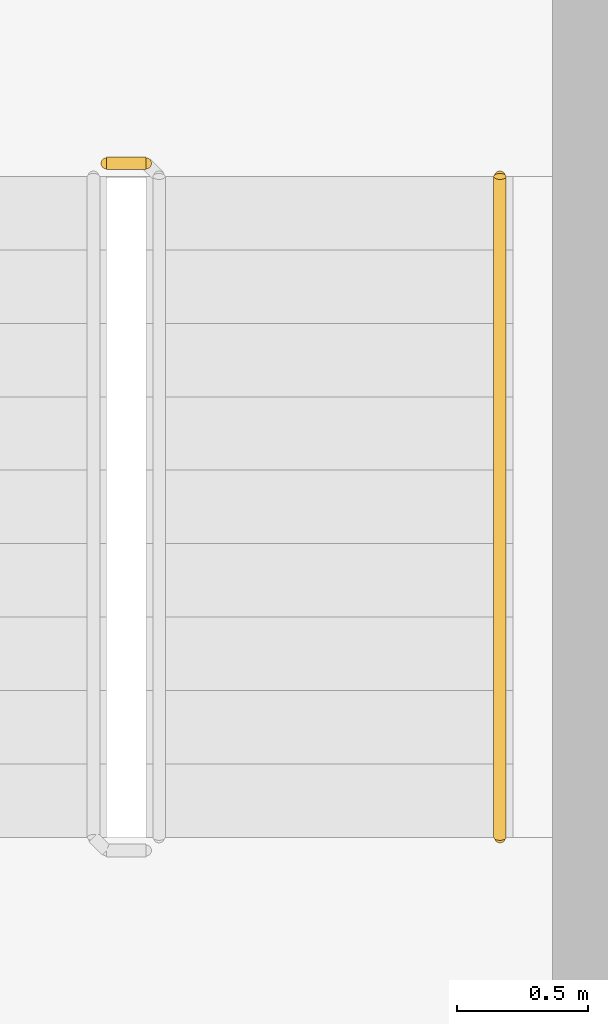
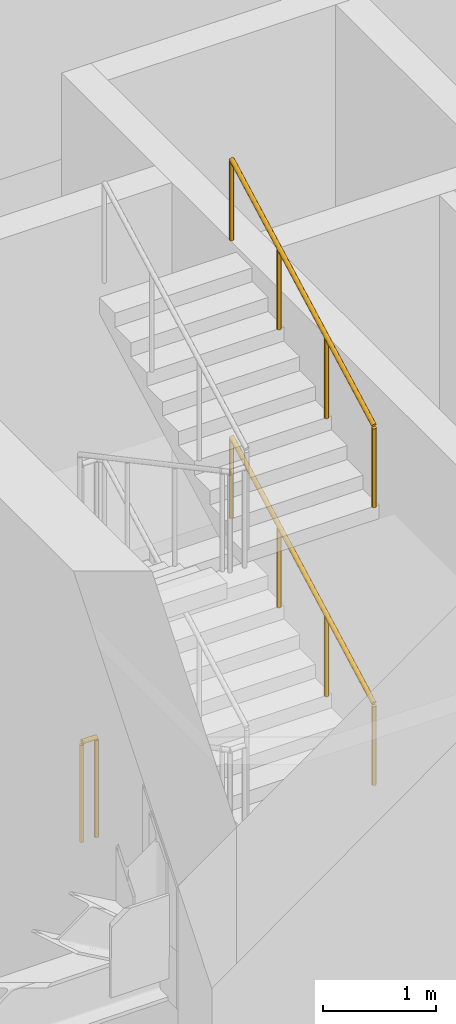
# One storey, part 24 of 29: 3 railings.
"""IFC4 building model written with IfcOpenShell, lengths in metres."""

import ifcopenshell
import ifcopenshell.guid

model = None  # the IFC model being written
_history = None  # IfcOwnerHistory: only IFC2X3 demands one
_inside = {}  # id of a spatial element -> (the spatial element, [elements in it])
_under = {}  # id of a project, library or spatial element -> (it, [spatial elements below it])
_declared = {}  # id of a project -> (the project, [libraries it declares])
_typed = {}  # id of a type object -> (the type object, [elements of that type])
_made_of = {}  # id of a material, layer set ... -> (it, [elements and type objects made of it])


def new_model(schema):
    """Start an empty IFC model of exactly this schema.

    Asked for "IFC4X3", IfcOpenShell would pick the latest addendum, in which some entities
    have other attributes; the version numbers below select the first issue.
    IFC2X3 requires an IfcOwnerHistory on every rooted entity: one is made here for all.
    """
    global model, _history
    if schema == "IFC4X3":
        model = ifcopenshell.file(schema_version=(4, 3, 0, 0))
    else:
        model = ifcopenshell.file(schema=schema)
    _inside.clear()
    _under.clear()
    _declared.clear()
    _typed.clear()
    _made_of.clear()
    _history = None
    if model.schema == "IFC2X3":
        org = make("IfcOrganization", Name="unknown")
        user = make(
            "IfcPersonAndOrganization",
            ThePerson=make("IfcPerson", FamilyName="unknown"),
            TheOrganization=org,
        )
        app = make(
            "IfcApplication",
            ApplicationDeveloper=org,
            Version="unknown",
            ApplicationFullName="unknown",
            ApplicationIdentifier="unknown",
        )
        _history = make(
            "IfcOwnerHistory",
            OwningUser=user,
            OwningApplication=app,
            ChangeAction="ADDED",
            CreationDate=0,
        )
    return model


def make(cls, **values):
    """One entity of the class cls with the attributes given. An attribute that is None is left unset."""
    return model.create_entity(
        cls, **{name: value for name, value in values.items() if value is not None}
    )


def rooted(cls, **values):
    """An entity with a GlobalId (a new one), such as an element, a storey or a relation."""
    return make(cls, GlobalId=ifcopenshell.guid.new(), OwnerHistory=_history, **values)


def si_unit(unit_type, name, prefix=None):
    """IfcSIUnit, for example si_unit("LENGTHUNIT", "METRE", prefix="MILLI")."""
    return make("IfcSIUnit", UnitType=unit_type, Prefix=prefix, Name=name)


def assignment(units):
    """IfcUnitAssignment: the units of a project."""
    return None if units is None else make("IfcUnitAssignment", Units=units)


def point(xyz):
    """IfcCartesianPoint."""
    return None if xyz is None else make("IfcCartesianPoint", Coordinates=xyz)


def direction(xyz):
    """IfcDirection."""
    return None if xyz is None else make("IfcDirection", DirectionRatios=xyz)


def frame(location, z_axis=None, x_axis=None):
    """IfcAxis2Placement3D, a coordinate frame: its origin and axes. An axis left out is left unset."""
    return make(
        "IfcAxis2Placement3D",
        Location=point(location),
        Axis=direction(z_axis),
        RefDirection=direction(x_axis),
    )


def frame_2d(location, x_axis=None):
    """IfcAxis2Placement2D, a coordinate frame in the plane: its origin and x axis."""
    return make(
        "IfcAxis2Placement2D", Location=point(location), RefDirection=direction(x_axis)
    )


def origin():
    """The frame at (0, 0, 0) with its axes left unset."""
    return frame((0.0, 0.0, 0.0))


def origin_2d():
    """The frame at (0, 0) in the plane with its x axis left unset."""
    return frame_2d((0.0, 0.0))


def place(relative_to, where):
    """IfcLocalPlacement: puts the frame where relative to a parent placement (None: the world)."""
    return make(
        "IfcLocalPlacement", PlacementRelTo=relative_to, RelativePlacement=where
    )


def context(
    kind, dimensions, precision=None, world=None, true_north=None, identifier=None
):
    """IfcGeometricRepresentationContext, for example the 3D "Model" context."""
    return make(
        "IfcGeometricRepresentationContext",
        ContextIdentifier=identifier,
        ContextType=kind,
        CoordinateSpaceDimension=dimensions,
        Precision=precision,
        WorldCoordinateSystem=world,
        TrueNorth=true_north,
    )


def subcontext(parent, identifier, kind, view, scale=None):
    """IfcGeometricRepresentationSubContext, for example "Body" below "Model"."""
    return make(
        "IfcGeometricRepresentationSubContext",
        ContextIdentifier=identifier,
        ContextType=kind,
        ParentContext=parent,
        TargetScale=scale,
        TargetView=view,
    )


def project(units=None, contexts=None):
    """IfcProject with its units and contexts."""
    return rooted(
        "IfcProject",
        Name="project",
        RepresentationContexts=contexts,
        UnitsInContext=assignment(units),
    )


def spatial(cls, under=None, at=None, **own):
    """A site, building, storey or space (cls), placed at a placement, below another one or the project."""
    s = rooted(cls, ObjectPlacement=at, **own)
    if under is not None:
        _under.setdefault(under.id(), (under, []))[1].append(s)
    return s


def profile(cls, at=None, kind="AREA", **sizes):
    """A parametric profile (cls). Its sizes go by their IFC names, for example OverallWidth=200.0."""
    return make(cls, ProfileType=kind, Position=at, **sizes)


def circle(**sizes):
    """IfcCircleProfileDef."""
    return profile("IfcCircleProfileDef", **sizes)


def extrude(swept, where, along, depth):
    """IfcExtrudedAreaSolid: the profile swept, set in the frame where, extruded along a direction by depth."""
    return make(
        "IfcExtrudedAreaSolid",
        SweptArea=swept,
        Position=where,
        ExtrudedDirection=direction(along),
        Depth=depth,
    )


def shape(context_of_items, identifier, shape_type, items):
    """IfcShapeRepresentation: the items that make up one representation, for example the "Body"."""
    return make(
        "IfcShapeRepresentation",
        ContextOfItems=context_of_items,
        RepresentationIdentifier=identifier,
        RepresentationType=shape_type,
        Items=items,
    )


def material(Name=None, Category=None):
    """IfcMaterial."""
    return make("IfcMaterial", Name=Name, Category=Category)


def made_of(thing, what):
    """Note that an element or type object is made of a material, layer set ...; save() writes the relation."""
    if what is not None:
        _made_of.setdefault(what.id(), (what, []))[1].append(thing)
    return thing


def type_object(cls, material=None, **own):
    """A type object (cls), such as IfcWallType, which elements share."""
    return made_of(rooted(cls, **own), material)


def element(
    cls,
    number,
    at=None,
    inside=None,
    cuts=None,
    type_object=None,
    material=None,
    context=None,
    identifier="Body",
    shape_type=None,
    held_by="IfcProductDefinitionShape",
    body=None,
    shapes=None,
    **own,
):
    """One element of the class cls, such as IfcWall. Its Tag is "e" and its number.

    at: its placement. inside: the storey or other place that contains it. cuts: it is an
    opening in that element (IfcRelVoidsElement). A single representation is given by context,
    identifier, shape_type and body (its items); several are given by shapes. held_by: the class
    of the entity that holds the representations. save() writes the other relations.
    """
    e = rooted(cls, Tag="e%d" % number, ObjectPlacement=at, **own)
    if body is not None:
        shapes = [shape(context, identifier, shape_type, body)]
    if shapes is not None:
        e.Representation = make(held_by, Representations=shapes)
    if inside is not None:
        _inside.setdefault(inside.id(), (inside, []))[1].append(e)
    if cuts is not None:
        rooted(
            "IfcRelVoidsElement", RelatingBuildingElement=cuts, RelatedOpeningElement=e
        )
    if type_object is not None:
        _typed.setdefault(type_object.id(), (type_object, []))[1].append(e)
    return made_of(e, material)


def aggregate(whole, parts):
    """IfcRelAggregates: a whole, such as a stair, and the parts it consists of."""
    return rooted("IfcRelAggregates", RelatingObject=whole, RelatedObjects=parts)


def save(model, path):
    """Write the relations noted so far, then the file.

    IfcRelAggregates (storeys below a building ...), IfcRelContainedInSpatialStructure (elements
    in a storey), IfcRelDefinesByType, IfcRelAssociatesMaterial and IfcRelDeclares: one each for
    every whole, place, type object, material and project.
    """
    for whole, parts in _under.values():
        aggregate(whole, parts)
    for where, things in _inside.values():
        rooted(
            "IfcRelContainedInSpatialStructure",
            RelatedElements=things,
            RelatingStructure=where,
        )
    for kind, things in _typed.values():
        rooted("IfcRelDefinesByType", RelatedObjects=things, RelatingType=kind)
    for what, things in _made_of.values():
        rooted("IfcRelAssociatesMaterial", RelatedObjects=things, RelatingMaterial=what)
    for by, libraries in _declared.values():
        rooted("IfcRelDeclares", RelatingContext=by, RelatedDefinitions=libraries)
    model.write(path)


model = new_model("IFC4")

# Units and contexts
model_context = context("Model", 3, precision=1e-05, world=origin(), true_north=direction((0.0, 1.0)))
body_context = subcontext(model_context, "Body", "Model", "MODEL_VIEW")
ifc_project = project(units=[si_unit("LENGTHUNIT", "METRE"), si_unit("AREAUNIT", "SQUARE_METRE"), si_unit("VOLUMEUNIT", "CUBIC_METRE"), si_unit("PLANEANGLEUNIT", "RADIAN"), si_unit("MASSUNIT", "GRAM", prefix="KILO")], contexts=[model_context])

# Site, building, storey
site_placement = place(None, origin())
site = spatial("IfcSite", under=ifc_project, at=site_placement, CompositionType="ELEMENT")
building_placement = place(site_placement, origin())
building = spatial("IfcBuilding", under=site, at=building_placement, Name="Mopane Tessera Tower", CompositionType="ELEMENT")
storey_placement = place(building_placement, frame((0.0, 0.0, 315.39990234375)))
storey = spatial("IfcBuildingStorey", under=building, at=storey_placement, Name="L69", CompositionType="ELEMENT", Elevation=315.39990234375)

# Railings
ifc_material_1 = material(Name="Powder-coated steel balustrade", Category="steel")
railing_type_1 = type_object("IfcRailingType", Name="Escape stair guard 1100 mm", PredefinedType="GUARDRAIL", material=ifc_material_1)
railing_placement = place(storey_placement, frame((-12.35009765625, -1.35009765625, 0.0)))
element("IfcRailing", 1, at=railing_placement, inside=storey, type_object=railing_type_1, Name="L69 ST1 stair guard 5", PredefinedType="GUARDRAIL", context=body_context, shape_type="SweptSolid", body=[
    extrude(circle(Radius=0.02392578125, at=origin_2d()), frame((0.0, 0.0, 1.076171875), z_axis=(1.0, 0.0, 0.0), x_axis=(0.0, 1.0, 0.0)), (0.0, 0.0, 1.0), 0.150146484375),
    extrude(circle(Radius=0.02099609375, at=origin_2d()), origin(), (0.0, 0.0, 1.0), 1.052001953125),
    extrude(circle(Radius=0.02099609375, at=origin_2d()), frame((0.150146484375, 0.0, 0.0)), (0.0, 0.0, 1.0), 1.052001953125),
])
ifc_material_2 = material(Name="Powder-coated steel balustrade", Category="steel")
railing_type_2 = type_object("IfcRailingType", Name="Escape stair handrail 900 mm", PredefinedType="HANDRAIL", material=ifc_material_2)
for number, where, name in (
    (2, (-10.85009765625, -3.919921875, 1.650146484375), "L69 ST1 stair handrail 2"),
    (3, (-10.85009765625, -3.919921875, 4.650146484375), "L69 ST1 stair handrail 4"),
):
    element("IfcRailing", number, at=place(storey_placement, frame(where)), inside=storey, type_object=railing_type_2, Name=name, PredefinedType="HANDRAIL", context=body_context, shape_type="SweptSolid", body=[
        extrude(circle(Radius=0.02392578125, at=origin_2d()), frame((0.0, 0.0, 0.8759765625), z_axis=(0.0, 0.88150282143, 0.472178754087), x_axis=(-1.0, 0.0, 0.0)), (0.0, 0.0, 1.0), 2.85888671875),
        extrude(circle(Radius=0.02099609375, at=origin_2d()), origin(), (0.0, 0.0, 1.0), 0.851806640625),
        extrude(circle(Radius=0.02099609375, at=origin_2d()), frame((0.0, 0.840087890625, 0.449951171875)), (0.0, 0.0, 1.0), 0.851806640625),
        extrude(circle(Radius=0.02099609375, at=origin_2d()), frame((0.0, 1.679931640625, 0.89990234375)), (0.0, 0.0, 1.0), 0.851806640625),
        extrude(circle(Radius=0.02099609375, at=origin_2d()), frame((0.0, 2.52001953125, 1.349853515625)), (0.0, 0.0, 1.0), 0.851806640625),
    ])

save(model, "model.ifc")
